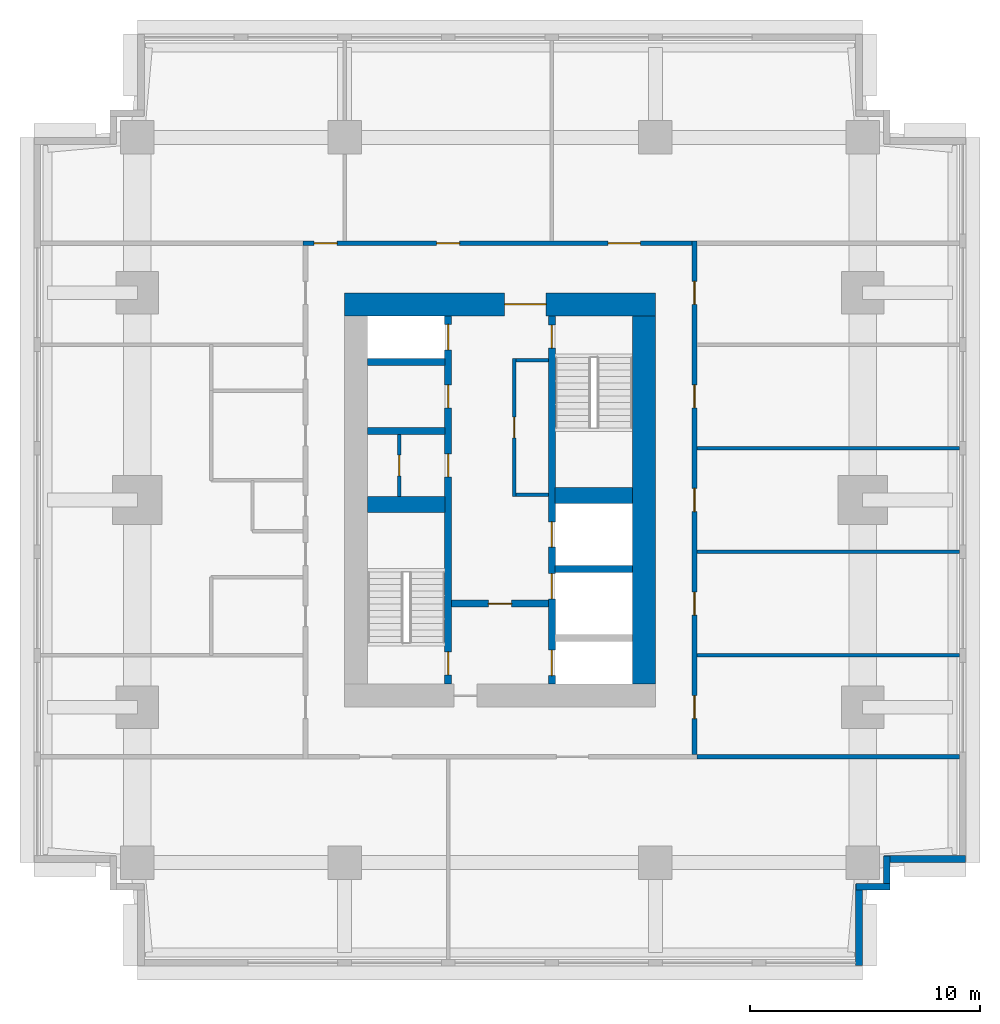
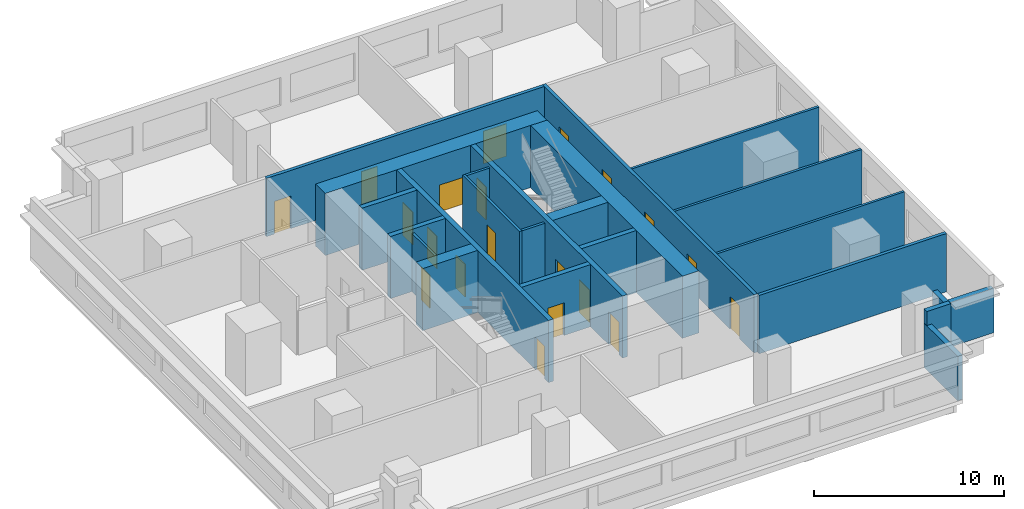
# One storey, part 3 of 5: 24 walls, 20 doors, 20 openings.
"""IFC4 building model written with IfcOpenShell, lengths in metres."""

from ifc_helpers import new_model, si_unit, direction, frame, frame_2d, origin, place, context, subcontext, project, spatial, rectangle, extrude, material, layer, layer_set, type_object, element, fill, save


model = new_model("IFC4")

# Units and contexts
model_context = context("Model", 3, precision=1e-05, world=origin(), true_north=direction((0.0, 1.0)))
body_context = subcontext(model_context, "Body", "Model", "MODEL_VIEW")
ifc_project = project(units=[si_unit("LENGTHUNIT", "METRE"), si_unit("AREAUNIT", "SQUARE_METRE"), si_unit("VOLUMEUNIT", "CUBIC_METRE"), si_unit("PLANEANGLEUNIT", "RADIAN"), si_unit("MASSUNIT", "GRAM", prefix="KILO")], contexts=[model_context])

# Site, building, storey
site_placement = place(None, origin())
site = spatial("IfcSite", under=ifc_project, at=site_placement, CompositionType="ELEMENT")
building_placement = place(site_placement, origin())
building = spatial("IfcBuilding", under=site, at=building_placement, Name="Namib Vertical Campus", CompositionType="ELEMENT")
storey_placement = place(building_placement, frame((0.0, 0.0, 253.0)))
storey = spatial("IfcBuildingStorey", under=building, at=storey_placement, Name="L59", CompositionType="ELEMENT", Elevation=253.0)

# Wall, openings, doors
ifc_material_1 = material(Name="Concrete C60/75", Category="concrete")
ifc_layer_1 = layer(ifc_material_1, 0.300048828125)
ifc_layer_set_1 = layer_set([ifc_layer_1], Name="Concrete C60/75")
wall_type_1 = type_object("IfcWallType", Name="Core inner wall 300", PredefinedType="SHEAR", material=ifc_layer_set_1)
wall_1_placement = place(storey_placement, frame((18.0, 12.25, 0.0), z_axis=(0.0, 0.0, 1.0), x_axis=(0.0, 1.0, 0.0)))
wall_1 = element("IfcWall", 1, at=wall_1_placement, inside=storey, type_object=wall_type_1, Name="Core inner wall A L59 W1", PredefinedType="SHEAR", context=body_context, shape_type="SweptSolid", body=[
    extrude(rectangle(XDim=16.0, YDim=0.300048828125, at=frame_2d((8.0, 0.0))), origin(), (0.0, 0.0, 1.0), 4.0),
])
opening_1_placement = place(wall_1_placement, frame((0.39990234375, 0.0, 0.0)))
opening_1 = element("IfcOpeningElement", 2, at=opening_1_placement, cuts=wall_1, Name="Opening FD1", PredefinedType="OPENING", context=body_context, shape_type="SweptSolid", body=[
    extrude(rectangle(XDim=1.0, YDim=2.10009765625, at=frame_2d((0.5, 1.050048828125))), frame((0.0, 0.159912109375, 0.0), z_axis=(0.0, -1.0, 0.0), x_axis=(1.0, 0.0, 0.0)), (0.0, 0.0, 1.0), 0.320068359375),
])
opening_2_placement = place(wall_1_placement, frame((14.52490234375, 0.0, 0.0)))
opening_2 = element("IfcOpeningElement", 3, at=opening_2_placement, cuts=wall_1, Name="Opening LD1", PredefinedType="OPENING", context=body_context, shape_type="SweptSolid", body=[
    extrude(rectangle(XDim=1.10009765625, YDim=2.10009765625, at=frame_2d((0.550048828125, 1.050048828125))), frame((0.0, 0.159912109375, 0.0), z_axis=(0.0, -1.0, 0.0), x_axis=(1.0, 0.0, 0.0)), (0.0, 0.0, 1.0), 0.320068359375),
])
opening_3_placement = place(wall_1_placement, frame((9.0, 0.0, 0.0)))
opening_3 = element("IfcOpeningElement", 4, at=opening_3_placement, cuts=wall_1, Name="Opening D1", PredefinedType="OPENING", context=body_context, shape_type="SweptSolid", body=[
    extrude(rectangle(XDim=1.0, YDim=2.10009765625, at=frame_2d((0.5, 1.050048828125))), frame((0.0, 0.159912109375, 0.0), z_axis=(0.0, -1.0, 0.0), x_axis=(1.0, 0.0, 0.0)), (0.0, 0.0, 1.0), 0.320068359375),
])
opening_4_placement = place(wall_1_placement, frame((12.0, 0.0, 0.0)))
opening_4 = element("IfcOpeningElement", 5, at=opening_4_placement, cuts=wall_1, Name="Opening D1", PredefinedType="OPENING", context=body_context, shape_type="SweptSolid", body=[
    extrude(rectangle(XDim=1.0, YDim=2.10009765625, at=frame_2d((0.5, 1.050048828125))), frame((0.0, 0.159912109375, 0.0), z_axis=(0.0, -1.0, 0.0), x_axis=(1.0, 0.0, 0.0)), (0.0, 0.0, 1.0), 0.320068359375),
])
ifc_material_2 = material(Name="Timber door leaf", Category="wood")
door_type_1 = type_object("IfcDoorType", Name="Door single 1000x2100", OperationType="SINGLE_SWING_LEFT", PredefinedType="DOOR", material=ifc_material_2)
door_1_placement = place(opening_3_placement, origin())
door_1 = element("IfcDoor", 6, at=door_1_placement, inside=storey, type_object=door_type_1, Name="Door D1 Store A L59 P1", OperationType="SINGLE_SWING_LEFT", OverallHeight=2.10009765625, OverallWidth=1.0, PredefinedType="DOOR", context=body_context, shape_type="SweptSolid", body=[
    extrude(rectangle(XDim=1.0, YDim=2.10009765625, at=frame_2d((0.5, 1.050048828125))), frame((0.0, 0.02490234375, 0.0), z_axis=(0.0, -1.0, 0.0), x_axis=(1.0, 0.0, 0.0)), (0.0, 0.0, 1.0), 0.050048828125),
])
fill(opening_3, door_1)
door_2_placement = place(opening_4_placement, origin())
door_2 = element("IfcDoor", 7, at=door_2_placement, inside=storey, type_object=door_type_1, Name="Door D1 Cleaners' store A L59 P2", OperationType="SINGLE_SWING_LEFT", OverallHeight=2.10009765625, OverallWidth=1.0, PredefinedType="DOOR", context=body_context, shape_type="SweptSolid", body=[
    extrude(rectangle(XDim=1.0, YDim=2.10009765625, at=frame_2d((0.5, 1.050048828125))), frame((0.0, 0.02490234375, 0.0), z_axis=(0.0, -1.0, 0.0), x_axis=(1.0, 0.0, 0.0)), (0.0, 0.0, 1.0), 0.050048828125),
])
fill(opening_4, door_2)
ifc_material_3 = material(Name="Steel fire door", Category="steel")
door_type_2 = type_object("IfcDoorType", Name="Fire door 1000x2100", OperationType="SINGLE_SWING_RIGHT", PredefinedType="DOOR", material=ifc_material_3)
door_3_placement = place(opening_1_placement, origin())
door_3 = element("IfcDoor", 8, at=door_3_placement, inside=storey, type_object=door_type_2, Name="Stair door FD1 A L59 S1", OperationType="SINGLE_SWING_LEFT", OverallHeight=2.10009765625, OverallWidth=1.0, PredefinedType="DOOR", context=body_context, shape_type="SweptSolid", body=[
    extrude(rectangle(XDim=1.0, YDim=2.10009765625, at=frame_2d((0.5, 1.050048828125))), frame((0.0, 0.02490234375, 0.0), z_axis=(0.0, -1.0, 0.0), x_axis=(1.0, 0.0, 0.0)), (0.0, 0.0, 1.0), 0.050048828125),
])
fill(opening_1, door_3)
ifc_material_4 = material(Name="Stainless steel lift door", Category="steel")
door_type_3 = type_object("IfcDoorType", Name="Lift landing door 1100x2100", OperationType="DOUBLE_DOOR_SLIDING", PredefinedType="DOOR", material=ifc_material_4)
door_4_placement = place(opening_2_placement, origin())
door_4 = element("IfcDoor", 9, at=door_4_placement, inside=storey, type_object=door_type_3, Name="Lift landing door LD1 A-P3 L59", OperationType="DOUBLE_DOOR_SLIDING", OverallHeight=2.10009765625, OverallWidth=1.10009765625, PredefinedType="DOOR", context=body_context, shape_type="SweptSolid", body=[
    extrude(rectangle(XDim=1.10009765625, YDim=2.10009765625, at=frame_2d((0.550048828125, 1.050048828125))), frame((0.0, 0.02490234375, 0.0), z_axis=(0.0, -1.0, 0.0), x_axis=(1.0, 0.0, 0.0)), (0.0, 0.0, 1.0), 0.050048828125),
])
fill(opening_2, door_4)

wall_2_placement = place(storey_placement, frame((22.5, 12.25, 0.0), z_axis=(0.0, 0.0, 1.0), x_axis=(0.0, 1.0, 0.0)))
wall_2 = element("IfcWall", 10, at=wall_2_placement, inside=storey, type_object=wall_type_1, Name="Core inner wall A L59 W2", PredefinedType="SHEAR", context=body_context, shape_type="SweptSolid", body=[
    extrude(rectangle(XDim=16.0, YDim=0.300048828125, at=frame_2d((8.0, 0.0))), origin(), (0.0, 0.0, 1.0), 4.0),
])
opening_5_placement = place(wall_2_placement, frame((14.60009765625, 0.0, 0.0)))
opening_5 = element("IfcOpeningElement", 11, at=opening_5_placement, cuts=wall_2, Name="Opening FD1", PredefinedType="OPENING", context=body_context, shape_type="SweptSolid", body=[
    extrude(rectangle(XDim=1.0, YDim=2.10009765625, at=frame_2d((0.5, 1.050048828125))), frame((0.0, 0.159912109375, 0.0), z_axis=(0.0, -1.0, 0.0), x_axis=(1.0, 0.0, 0.0)), (0.0, 0.0, 1.0), 0.320068359375),
])
opening_6_placement = place(wall_2_placement, frame((0.375, 0.0, 0.0)))
opening_6 = element("IfcOpeningElement", 12, at=opening_6_placement, cuts=wall_2, Name="Opening LD1", PredefinedType="OPENING", context=body_context, shape_type="SweptSolid", body=[
    extrude(rectangle(XDim=1.10009765625, YDim=2.10009765625, at=frame_2d((0.550048828125, 1.050048828125))), frame((0.0, 0.159912109375, 0.0), z_axis=(0.0, -1.0, 0.0), x_axis=(1.0, 0.0, 0.0)), (0.0, 0.0, 1.0), 0.320068359375),
])
opening_7_placement = place(wall_2_placement, frame((3.699951171875, 0.0, 0.0)))
opening_7 = element("IfcOpeningElement", 13, at=opening_7_placement, cuts=wall_2, Name="Opening LD1", PredefinedType="OPENING", context=body_context, shape_type="SweptSolid", body=[
    extrude(rectangle(XDim=1.10009765625, YDim=2.10009765625, at=frame_2d((0.550048828125, 1.050048828125))), frame((0.0, 0.159912109375, 0.0), z_axis=(0.0, -1.0, 0.0), x_axis=(1.0, 0.0, 0.0)), (0.0, 0.0, 1.0), 0.320068359375),
])
opening_8_placement = place(wall_2_placement, frame((5.949951171875, 0.0, 0.0)))
opening_8 = element("IfcOpeningElement", 14, at=opening_8_placement, cuts=wall_2, Name="Opening LD1", PredefinedType="OPENING", context=body_context, shape_type="SweptSolid", body=[
    extrude(rectangle(XDim=1.10009765625, YDim=2.10009765625, at=frame_2d((0.550048828125, 1.050048828125))), frame((0.0, 0.159912109375, 0.0), z_axis=(0.0, -1.0, 0.0), x_axis=(1.0, 0.0, 0.0)), (0.0, 0.0, 1.0), 0.320068359375),
])
door_5_placement = place(opening_5_placement, frame((1.0, 0.0, 0.0), z_axis=(0.0, 0.0, 1.0), x_axis=(-1.0, 0.0, 0.0)))
door_5 = element("IfcDoor", 15, at=door_5_placement, inside=storey, type_object=door_type_2, Name="Stair door FD1 A L59 S2", OperationType="SINGLE_SWING_LEFT", OverallHeight=2.10009765625, OverallWidth=1.0, PredefinedType="DOOR", context=body_context, shape_type="SweptSolid", body=[
    extrude(rectangle(XDim=1.0, YDim=2.10009765625, at=frame_2d((0.5, 1.050048828125))), frame((0.0, 0.02490234375, 0.0), z_axis=(0.0, -1.0, 0.0), x_axis=(1.0, 0.0, 0.0)), (0.0, 0.0, 1.0), 0.050048828125),
])
fill(opening_5, door_5)
door_6_placement = place(opening_6_placement, origin())
door_6 = element("IfcDoor", 16, at=door_6_placement, inside=storey, type_object=door_type_3, Name="Lift landing door LD1 A-FL1 L59", OperationType="DOUBLE_DOOR_SLIDING", OverallHeight=2.10009765625, OverallWidth=1.10009765625, PredefinedType="DOOR", context=body_context, shape_type="SweptSolid", body=[
    extrude(rectangle(XDim=1.10009765625, YDim=2.10009765625, at=frame_2d((0.550048828125, 1.050048828125))), frame((0.0, 0.02490234375, 0.0), z_axis=(0.0, -1.0, 0.0), x_axis=(1.0, 0.0, 0.0)), (0.0, 0.0, 1.0), 0.050048828125),
])
fill(opening_6, door_6)
door_7_placement = place(opening_7_placement, origin())
door_7 = element("IfcDoor", 17, at=door_7_placement, inside=storey, type_object=door_type_3, Name="Lift landing door LD1 A-P4 L59", OperationType="DOUBLE_DOOR_SLIDING", OverallHeight=2.10009765625, OverallWidth=1.10009765625, PredefinedType="DOOR", context=body_context, shape_type="SweptSolid", body=[
    extrude(rectangle(XDim=1.10009765625, YDim=2.10009765625, at=frame_2d((0.550048828125, 1.050048828125))), frame((0.0, 0.02490234375, 0.0), z_axis=(0.0, -1.0, 0.0), x_axis=(1.0, 0.0, 0.0)), (0.0, 0.0, 1.0), 0.050048828125),
])
fill(opening_7, door_7)
door_8_placement = place(opening_8_placement, origin())
door_8 = element("IfcDoor", 18, at=door_8_placement, inside=storey, type_object=door_type_3, Name="Lift landing door LD1 A-P5 L59", OperationType="DOUBLE_DOOR_SLIDING", OverallHeight=2.10009765625, OverallWidth=1.10009765625, PredefinedType="DOOR", context=body_context, shape_type="SweptSolid", body=[
    extrude(rectangle(XDim=1.10009765625, YDim=2.10009765625, at=frame_2d((0.550048828125, 1.050048828125))), frame((0.0, 0.02490234375, 0.0), z_axis=(0.0, -1.0, 0.0), x_axis=(1.0, 0.0, 0.0)), (0.0, 0.0, 1.0), 0.050048828125),
])
fill(opening_8, door_8)

# Wall, opening, door
wall_3_placement = place(storey_placement, frame((18.14990234375, 15.75, 0.0), z_axis=(0.0, 0.0, 1.0), x_axis=(1.0, 0.0, 0.0)))
wall_3 = element("IfcWall", 19, at=wall_3_placement, inside=storey, type_object=wall_type_1, Name="Core inner wall A L59 W4", PredefinedType="SHEAR", context=body_context, shape_type="SweptSolid", body=[
    extrude(rectangle(XDim=4.2001953125, YDim=0.300048828125, at=frame_2d((2.10009765625, 0.0))), origin(), (0.0, 0.0, 1.0), 4.0),
])
opening_9_placement = place(wall_3_placement, frame((1.60009765625, 0.0, 0.0)))
opening_9 = element("IfcOpeningElement", 20, at=opening_9_placement, cuts=wall_3, Name="Opening FD5", PredefinedType="OPENING", context=body_context, shape_type="SweptSolid", body=[
    extrude(rectangle(XDim=1.0, YDim=2.10009765625, at=frame_2d((0.5, 1.050048828125))), frame((0.0, 0.159912109375, 0.0), z_axis=(0.0, -1.0, 0.0), x_axis=(1.0, 0.0, 0.0)), (0.0, 0.0, 1.0), 0.320068359375),
])
ifc_material_5 = material(Name="Steel fire door", Category="steel")
door_type_4 = type_object("IfcDoorType", Name="Fire door 1000x2100 120 min", OperationType="SINGLE_SWING_RIGHT", PredefinedType="DOOR", material=ifc_material_5)
door_9_placement = place(opening_9_placement, frame((1.0, 0.0, 0.0), z_axis=(0.0, 0.0, 1.0), x_axis=(-1.0, 0.0, 0.0)))
door_9 = element("IfcDoor", 21, at=door_9_placement, inside=storey, type_object=door_type_4, Name="Lobby door FD5 A L59", OperationType="SINGLE_SWING_RIGHT", OverallHeight=2.10009765625, OverallWidth=1.0, PredefinedType="DOOR", context=body_context, shape_type="SweptSolid", body=[
    extrude(rectangle(XDim=1.0, YDim=2.10009765625, at=frame_2d((0.5, 1.050048828125))), frame((0.0, 0.02490234375, 0.0), z_axis=(0.0, -1.0, 0.0), x_axis=(1.0, 0.0, 0.0)), (0.0, 0.0, 1.0), 0.050048828125),
])
fill(opening_9, door_9)

# Walls
for number, where, z_axis, x_axis, name in (
    (22, (22.64990234375, 17.25, 0.0), (0.0, 0.0, 1.0), (1.0, 0.0, 0.0), "Core inner wall A L59 W6"),
    (23, (14.5, 23.25, 0.0), (0.0, 0.0, 1.0), (1.0, 0.0, 0.0), "Core inner wall A L59 W8"),
    (24, (14.5, 26.25, 0.0), (0.0, 0.0, 1.0), (1.0, 0.0, 0.0), "Core inner wall A L59 W9"),
):
    element("IfcWall", number, at=place(storey_placement, frame(where, z_axis=z_axis, x_axis=x_axis)), inside=storey, type_object=wall_type_1, Name=name, PredefinedType="SHEAR", context=body_context, shape_type="SweptSolid", body=[
        extrude(rectangle(XDim=3.35009765625, YDim=0.300048828125, at=frame_2d((1.675048828125, 0.0))), origin(), (0.0, 0.0, 1.0), 4.0),
    ])
ifc_material_6 = material(Name="Concrete C60/75", Category="concrete")
ifc_layer_2 = layer(ifc_material_6, 0.699951171875)
ifc_layer_set_2 = layer_set([ifc_layer_2], Name="Concrete C60/75")
wall_type_2 = type_object("IfcWallType", Name="Core shear wall 700", PredefinedType="SHEAR", material=ifc_layer_set_2)
for number, where, z_axis, x_axis, name in (
    (25, (14.5, 20.050048828125, 0.0), (0.0, 0.0, 1.0), (1.0, 0.0, 0.0), "Core shear wall A L59 W3"),
    (26, (22.64990234375, 20.449951171875, 0.0), (0.0, 0.0, 1.0), (1.0, 0.0, 0.0), "Core shear wall A L59 W7"),
):
    element("IfcWall", number, at=place(storey_placement, frame(where, z_axis=z_axis, x_axis=x_axis)), inside=storey, type_object=wall_type_2, Name=name, PredefinedType="SHEAR", context=body_context, shape_type="SweptSolid", body=[
        extrude(rectangle(XDim=3.35009765625, YDim=0.699951171875, at=frame_2d((1.675048828125, 0.0))), origin(), (0.0, 0.0, 1.0), 4.0),
    ])
ifc_material_7 = material(Name="Concrete C60/75", Category="concrete")
ifc_layer_3 = layer(ifc_material_7, 1.0)
ifc_layer_set_3 = layer_set([ifc_layer_3], Name="Concrete C60/75")
wall_type_3 = type_object("IfcWallType", Name="Core wall 1000", PredefinedType="SHEAR", material=ifc_layer_set_3)
wall_4_placement = place(storey_placement, frame((26.5, 12.25, 0.0), z_axis=(0.0, 0.0, 1.0), x_axis=(0.0, 1.0, 0.0)))
element("IfcWall", 27, at=wall_4_placement, inside=storey, type_object=wall_type_3, Name="Core wall A L59 2", PredefinedType="SHEAR", context=body_context, shape_type="SweptSolid", body=[
    extrude(rectangle(XDim=16.0, YDim=1.0, at=frame_2d((8.0, 0.0))), origin(), (0.0, 0.0, 1.0), 4.0),
])

# Wall, opening, door
wall_5_placement = place(storey_placement, frame((27.0, 28.75, 0.0), z_axis=(0.0, 0.0, 1.0), x_axis=(-1.0, 0.0, 0.0)))
wall_5 = element("IfcWall", 28, at=wall_5_placement, inside=storey, type_object=wall_type_3, Name="Core wall A L59 3", PredefinedType="SHEAR", context=body_context, shape_type="SweptSolid", body=[
    extrude(rectangle(XDim=13.5, YDim=1.0, at=frame_2d((6.75, 0.0))), origin(), (0.0, 0.0, 1.0), 4.0),
])
opening_10_placement = place(wall_5_placement, frame((4.75, 0.0, 0.0)))
opening_10 = element("IfcOpeningElement", 29, at=opening_10_placement, cuts=wall_5, Name="Opening FD2", PredefinedType="OPENING", context=body_context, shape_type="SweptSolid", body=[
    extrude(rectangle(XDim=1.800048828125, YDim=2.10009765625, at=frame_2d((0.89990234375, 1.050048828125))), frame((0.0, 0.510009765625, 0.0), z_axis=(0.0, -1.0, 0.0), x_axis=(1.0, 0.0, 0.0)), (0.0, 0.0, 1.0), 1.02001953125),
])
ifc_material_8 = material(Name="Steel fire door", Category="steel")
door_type_5 = type_object("IfcDoorType", Name="Fire door double 1800x2100", OperationType="DOUBLE_DOOR_SINGLE_SWING", PredefinedType="DOOR", material=ifc_material_8)
door_10_placement = place(opening_10_placement, origin())
door_10 = element("IfcDoor", 30, at=door_10_placement, inside=storey, type_object=door_type_5, Name="Lift lobby door FD2 A L59", OperationType="DOUBLE_DOOR_SINGLE_SWING", OverallHeight=2.10009765625, OverallWidth=1.800048828125, PredefinedType="DOOR", context=body_context, shape_type="SweptSolid", body=[
    extrude(rectangle(XDim=1.800048828125, YDim=2.10009765625, at=frame_2d((0.89990234375, 1.050048828125))), frame((0.0, 0.02490234375, 0.0), z_axis=(0.0, -1.0, 0.0), x_axis=(1.0, 0.0, 0.0)), (0.0, 0.0, 1.0), 0.050048828125),
])
fill(opening_10, door_10)

# Wall, openings, doors
ifc_material_9 = material(Name="Concrete masonry", Category="masonry")
ifc_layer_4 = layer(ifc_material_9, 0.199951171875)
ifc_layer_set_4 = layer_set([ifc_layer_4], Name="Corridor wall 200")
wall_type_4 = type_object("IfcWallType", Name="Corridor wall 200", PredefinedType="SOLIDWALL", material=ifc_layer_set_4)
wall_6_placement = place(storey_placement, frame((28.699951171875, 9.199951171875, 0.0), z_axis=(0.0, 0.0, 1.0), x_axis=(0.0, 1.0, 0.0)))
wall_6 = element("IfcWall", 31, at=wall_6_placement, inside=storey, type_object=wall_type_4, Name="Corridor wall A L59 CE", PredefinedType="SOLIDWALL", context=body_context, shape_type="SweptSolid", body=[
    extrude(rectangle(XDim=22.300048828125, YDim=0.199951171875, at=frame_2d((11.14990234375, 0.0))), origin(), (0.0, 0.0, 1.0), 3.75),
])
opening_11_placement = place(wall_6_placement, frame((1.550048828125, 0.0, 0.0)))
opening_11 = element("IfcOpeningElement", 32, at=opening_11_placement, cuts=wall_6, Name="Opening CD1", PredefinedType="OPENING", context=body_context, shape_type="SweptSolid", body=[
    extrude(rectangle(XDim=1.0, YDim=2.10009765625, at=frame_2d((0.5, 1.050048828125))), frame((0.0, 0.10986328125, 0.0), z_axis=(0.0, -1.0, 0.0), x_axis=(1.0, 0.0, 0.0)), (0.0, 0.0, 1.0), 0.219970703125),
])
opening_12_placement = place(wall_6_placement, frame((6.050048828125, 0.0, 0.0)))
opening_12 = element("IfcOpeningElement", 33, at=opening_12_placement, cuts=wall_6, Name="Opening CD1", PredefinedType="OPENING", context=body_context, shape_type="SweptSolid", body=[
    extrude(rectangle(XDim=1.0, YDim=2.10009765625, at=frame_2d((0.5, 1.050048828125))), frame((0.0, 0.10986328125, 0.0), z_axis=(0.0, -1.0, 0.0), x_axis=(1.0, 0.0, 0.0)), (0.0, 0.0, 1.0), 0.219970703125),
])
opening_13_placement = place(wall_6_placement, frame((10.550048828125, 0.0, 0.0)))
opening_13 = element("IfcOpeningElement", 34, at=opening_13_placement, cuts=wall_6, Name="Opening CD1", PredefinedType="OPENING", context=body_context, shape_type="SweptSolid", body=[
    extrude(rectangle(XDim=1.0, YDim=2.10009765625, at=frame_2d((0.5, 1.050048828125))), frame((0.0, 0.10986328125, 0.0), z_axis=(0.0, -1.0, 0.0), x_axis=(1.0, 0.0, 0.0)), (0.0, 0.0, 1.0), 0.219970703125),
])
opening_14_placement = place(wall_6_placement, frame((15.050048828125, 0.0, 0.0)))
opening_14 = element("IfcOpeningElement", 35, at=opening_14_placement, cuts=wall_6, Name="Opening CD1", PredefinedType="OPENING", context=body_context, shape_type="SweptSolid", body=[
    extrude(rectangle(XDim=1.0, YDim=2.10009765625, at=frame_2d((0.5, 1.050048828125))), frame((0.0, 0.10986328125, 0.0), z_axis=(0.0, -1.0, 0.0), x_axis=(1.0, 0.0, 0.0)), (0.0, 0.0, 1.0), 0.219970703125),
])
opening_15_placement = place(wall_6_placement, frame((19.550048828125, 0.0, 0.0)))
opening_15 = element("IfcOpeningElement", 36, at=opening_15_placement, cuts=wall_6, Name="Opening CD1", PredefinedType="OPENING", context=body_context, shape_type="SweptSolid", body=[
    extrude(rectangle(XDim=1.0, YDim=2.10009765625, at=frame_2d((0.5, 1.050048828125))), frame((0.0, 0.10986328125, 0.0), z_axis=(0.0, -1.0, 0.0), x_axis=(1.0, 0.0, 0.0)), (0.0, 0.0, 1.0), 0.219970703125),
])
ifc_material_10 = material(Name="Timber fire door leaf", Category="wood")
door_type_6 = type_object("IfcDoorType", Name="Corridor door 1000x2100 20 min", OperationType="SINGLE_SWING_LEFT", PredefinedType="DOOR", material=ifc_material_10)
door_11_placement = place(opening_11_placement, frame((1.0, 0.0, 0.0), z_axis=(0.0, 0.0, 1.0), x_axis=(-1.0, 0.0, 0.0)))
door_11 = element("IfcDoor", 37, at=door_11_placement, inside=storey, type_object=door_type_6, Name="Door CD1 A59-03", OperationType="SINGLE_SWING_RIGHT", OverallHeight=2.10009765625, OverallWidth=1.0, PredefinedType="DOOR", context=body_context, shape_type="SweptSolid", body=[
    extrude(rectangle(XDim=1.0, YDim=2.10009765625, at=frame_2d((0.5, 1.050048828125))), frame((0.0, 0.02490234375, 0.0), z_axis=(0.0, -1.0, 0.0), x_axis=(1.0, 0.0, 0.0)), (0.0, 0.0, 1.0), 0.050048828125),
])
fill(opening_11, door_11)
door_12_placement = place(opening_12_placement, frame((1.0, 0.0, 0.0), z_axis=(0.0, 0.0, 1.0), x_axis=(-1.0, 0.0, 0.0)))
door_12 = element("IfcDoor", 38, at=door_12_placement, inside=storey, type_object=door_type_6, Name="Door CD1 A59-04", OperationType="SINGLE_SWING_RIGHT", OverallHeight=2.10009765625, OverallWidth=1.0, PredefinedType="DOOR", context=body_context, shape_type="SweptSolid", body=[
    extrude(rectangle(XDim=1.0, YDim=2.10009765625, at=frame_2d((0.5, 1.050048828125))), frame((0.0, 0.02490234375, 0.0), z_axis=(0.0, -1.0, 0.0), x_axis=(1.0, 0.0, 0.0)), (0.0, 0.0, 1.0), 0.050048828125),
])
fill(opening_12, door_12)
door_13_placement = place(opening_13_placement, frame((1.0, 0.0, 0.0), z_axis=(0.0, 0.0, 1.0), x_axis=(-1.0, 0.0, 0.0)))
door_13 = element("IfcDoor", 39, at=door_13_placement, inside=storey, type_object=door_type_6, Name="Door CD1 A59-05", OperationType="SINGLE_SWING_RIGHT", OverallHeight=2.10009765625, OverallWidth=1.0, PredefinedType="DOOR", context=body_context, shape_type="SweptSolid", body=[
    extrude(rectangle(XDim=1.0, YDim=2.10009765625, at=frame_2d((0.5, 1.050048828125))), frame((0.0, 0.02490234375, 0.0), z_axis=(0.0, -1.0, 0.0), x_axis=(1.0, 0.0, 0.0)), (0.0, 0.0, 1.0), 0.050048828125),
])
fill(opening_13, door_13)
door_14_placement = place(opening_14_placement, frame((1.0, 0.0, 0.0), z_axis=(0.0, 0.0, 1.0), x_axis=(-1.0, 0.0, 0.0)))
door_14 = element("IfcDoor", 40, at=door_14_placement, inside=storey, type_object=door_type_6, Name="Door CD1 A59-06", OperationType="SINGLE_SWING_RIGHT", OverallHeight=2.10009765625, OverallWidth=1.0, PredefinedType="DOOR", context=body_context, shape_type="SweptSolid", body=[
    extrude(rectangle(XDim=1.0, YDim=2.10009765625, at=frame_2d((0.5, 1.050048828125))), frame((0.0, 0.02490234375, 0.0), z_axis=(0.0, -1.0, 0.0), x_axis=(1.0, 0.0, 0.0)), (0.0, 0.0, 1.0), 0.050048828125),
])
fill(opening_14, door_14)
door_15_placement = place(opening_15_placement, frame((1.0, 0.0, 0.0), z_axis=(0.0, 0.0, 1.0), x_axis=(-1.0, 0.0, 0.0)))
door_15 = element("IfcDoor", 41, at=door_15_placement, inside=storey, type_object=door_type_6, Name="Door CD1 A59-07", OperationType="SINGLE_SWING_RIGHT", OverallHeight=2.10009765625, OverallWidth=1.0, PredefinedType="DOOR", context=body_context, shape_type="SweptSolid", body=[
    extrude(rectangle(XDim=1.0, YDim=2.10009765625, at=frame_2d((0.5, 1.050048828125))), frame((0.0, 0.02490234375, 0.0), z_axis=(0.0, -1.0, 0.0), x_axis=(1.0, 0.0, 0.0)), (0.0, 0.0, 1.0), 0.050048828125),
])
fill(opening_15, door_15)

wall_7_placement = place(storey_placement, frame((28.60009765625, 31.39990234375, 0.0), z_axis=(0.0, 0.0, 1.0), x_axis=(-1.0, 0.0, 0.0)))
wall_7 = element("IfcWall", 42, at=wall_7_placement, inside=storey, type_object=wall_type_4, Name="Corridor wall A L59 CN", PredefinedType="SOLIDWALL", context=body_context, shape_type="SweptSolid", body=[
    extrude(rectangle(XDim=16.900146484375, YDim=0.199951171875, at=frame_2d((8.4501953125, 0.0))), origin(), (0.0, 0.0, 1.0), 3.75),
])
opening_16_placement = place(wall_7_placement, frame((15.425048828125, 0.0, 0.0)))
opening_16 = element("IfcOpeningElement", 43, at=opening_16_placement, cuts=wall_7, Name="Opening CD1", PredefinedType="OPENING", context=body_context, shape_type="SweptSolid", body=[
    extrude(rectangle(XDim=1.0, YDim=2.10009765625, at=frame_2d((0.5, 1.050048828125))), frame((0.0, 0.10986328125, 0.0), z_axis=(0.0, -1.0, 0.0), x_axis=(1.0, 0.0, 0.0)), (0.0, 0.0, 1.0), 0.219970703125),
])
opening_17_placement = place(wall_7_placement, frame((10.10009765625, 0.0, 0.0)))
opening_17 = element("IfcOpeningElement", 44, at=opening_17_placement, cuts=wall_7, Name="Opening CD1", PredefinedType="OPENING", context=body_context, shape_type="SweptSolid", body=[
    extrude(rectangle(XDim=1.0, YDim=2.10009765625, at=frame_2d((0.5, 1.050048828125))), frame((0.0, 0.10986328125, 0.0), z_axis=(0.0, -1.0, 0.0), x_axis=(1.0, 0.0, 0.0)), (0.0, 0.0, 1.0), 0.219970703125),
])
opening_18_placement = place(wall_7_placement, frame((2.25, 0.0, 0.0)))
opening_18 = element("IfcOpeningElement", 45, at=opening_18_placement, cuts=wall_7, Name="Opening LB1", PredefinedType="OPENING", context=body_context, shape_type="SweptSolid", body=[
    extrude(rectangle(XDim=1.39990234375, YDim=2.10009765625, at=frame_2d((0.699951171875, 1.050048828125))), frame((0.0, 0.10986328125, 0.0), z_axis=(0.0, -1.0, 0.0), x_axis=(1.0, 0.0, 0.0)), (0.0, 0.0, 1.0), 0.219970703125),
])
door_16_placement = place(opening_16_placement, frame((1.0, 0.0, 0.0), z_axis=(0.0, 0.0, 1.0), x_axis=(-1.0, 0.0, 0.0)))
door_16 = element("IfcDoor", 46, at=door_16_placement, inside=storey, type_object=door_type_6, Name="Door CD1 A59-08", OperationType="SINGLE_SWING_RIGHT", OverallHeight=2.10009765625, OverallWidth=1.0, PredefinedType="DOOR", context=body_context, shape_type="SweptSolid", body=[
    extrude(rectangle(XDim=1.0, YDim=2.10009765625, at=frame_2d((0.5, 1.050048828125))), frame((0.0, 0.02490234375, 0.0), z_axis=(0.0, -1.0, 0.0), x_axis=(1.0, 0.0, 0.0)), (0.0, 0.0, 1.0), 0.050048828125),
])
fill(opening_16, door_16)
door_17_placement = place(opening_17_placement, frame((1.0, 0.0, 0.0), z_axis=(0.0, 0.0, 1.0), x_axis=(-1.0, 0.0, 0.0)))
door_17 = element("IfcDoor", 47, at=door_17_placement, inside=storey, type_object=door_type_6, Name="Door CD1 A59-09", OperationType="SINGLE_SWING_RIGHT", OverallHeight=2.10009765625, OverallWidth=1.0, PredefinedType="DOOR", context=body_context, shape_type="SweptSolid", body=[
    extrude(rectangle(XDim=1.0, YDim=2.10009765625, at=frame_2d((0.5, 1.050048828125))), frame((0.0, 0.02490234375, 0.0), z_axis=(0.0, -1.0, 0.0), x_axis=(1.0, 0.0, 0.0)), (0.0, 0.0, 1.0), 0.050048828125),
])
fill(opening_17, door_17)
ifc_material_11 = material(Name="Timber fire door leaf", Category="wood")
door_type_7 = type_object("IfcDoorType", Name="Laboratory door 1400x2100 leaf and a half", OperationType="DOUBLE_DOOR_SINGLE_SWING", PredefinedType="DOOR", material=ifc_material_11)
door_18_placement = place(opening_18_placement, frame((1.39990234375, 0.0, 0.0), z_axis=(0.0, 0.0, 1.0), x_axis=(-1.0, 0.0, 0.0)))
door_18 = element("IfcDoor", 48, at=door_18_placement, inside=storey, type_object=door_type_7, Name="Door LB1 A59-10", OperationType="DOUBLE_DOOR_SINGLE_SWING", OverallHeight=2.10009765625, OverallWidth=1.39990234375, PredefinedType="DOOR", context=body_context, shape_type="SweptSolid", body=[
    extrude(rectangle(XDim=1.39990234375, YDim=2.10009765625, at=frame_2d((0.699951171875, 1.050048828125))), frame((0.0, 0.02490234375, 0.0), z_axis=(0.0, -1.0, 0.0), x_axis=(1.0, 0.0, 0.0)), (0.0, 0.0, 1.0), 0.050048828125),
])
fill(opening_18, door_18)

# Walls
wall_8_placement = place(storey_placement, frame((28.800048828125, 9.10009765625, 0.0), z_axis=(0.0, 0.0, 1.0), x_axis=(1.0, 0.0, 0.0)))
element("IfcWall", 49, at=wall_8_placement, inside=storey, type_object=wall_type_4, Name="Partition A L59 BSE", PredefinedType="SOLIDWALL", context=body_context, shape_type="SweptSolid", body=[
    extrude(rectangle(XDim=11.39990234375, YDim=0.199951171875, at=frame_2d((5.699951171875, 0.0))), origin(), (0.0, 0.0, 1.0), 3.75),
])
ifc_material_12 = material(Name="Concrete C40/50", Category="concrete")
ifc_layer_5 = layer(ifc_material_12, 0.300048828125)
ifc_layer_set_5 = layer_set([ifc_layer_5], Name="Concrete C40/50")
wall_type_5 = type_object("IfcWallType", Name="External wall 300 board-marked concrete", PredefinedType="STANDARD", material=ifc_layer_set_5)
wall_9_placement = place(storey_placement, frame((35.85009765625, 0.02001953125, 0.0), z_axis=(0.0, 0.0, 1.0), x_axis=(0.0, 1.0, 0.0)))
element("IfcWall", 50, at=wall_9_placement, inside=storey, type_object=wall_type_5, Name="External wall L59 F02", PredefinedType="STANDARD", context=body_context, shape_type="SweptSolid", body=[
    extrude(rectangle(XDim=3.56005859375, YDim=0.300048828125, at=frame_2d((1.780029296875, 0.0))), origin(), (0.0, 0.0, 1.0), 2.85009765625),
])
for number, where, z_axis, x_axis, name in (
    (51, (35.719970703125, 3.449951171875, 0.0), (0.0, 0.0, 1.0), (1.0, 0.0, 0.0), "External wall L59 F03"),
    (52, (37.050048828125, 3.320068359375, 0.0), (0.0, 0.0, 1.0), (0.0, 1.0, 0.0), "External wall L59 F04"),
):
    element("IfcWall", number, at=place(storey_placement, frame(where, z_axis=z_axis, x_axis=x_axis)), inside=storey, type_object=wall_type_5, Name=name, PredefinedType="STANDARD", context=body_context, shape_type="SweptSolid", body=[
        extrude(rectangle(XDim=1.4599609375, YDim=0.300048828125, at=frame_2d((0.72998046875, 0.0))), origin(), (0.0, 0.0, 1.0), 3.75),
    ])
wall_10_placement = place(storey_placement, frame((36.919921875, 4.64990234375, 0.0), z_axis=(0.0, 0.0, 1.0), x_axis=(1.0, 0.0, 0.0)))
element("IfcWall", 53, at=wall_10_placement, inside=storey, type_object=wall_type_5, Name="External wall L59 F05", PredefinedType="STANDARD", context=body_context, shape_type="SweptSolid", body=[
    extrude(rectangle(XDim=3.56005859375, YDim=0.300048828125, at=frame_2d((1.780029296875, 0.0))), origin(), (0.0, 0.0, 1.0), 2.85009765625),
])

# Wall, opening, door
ifc_material_13 = material(Name="Gypsum board on steel studs", Category="steel")
ifc_layer_6 = layer(ifc_material_13, 0.14990234375)
ifc_layer_set_6 = layer_set([ifc_layer_6], Name="Gypsum board on steel studs")
wall_type_6 = type_object("IfcWallType", Name="Partition 150", PredefinedType="PARTITIONING", material=ifc_layer_set_6)
wall_11_placement = place(storey_placement, frame((20.875, 20.39990234375, 0.0), z_axis=(0.0, 0.0, 1.0), x_axis=(0.0, 1.0, 0.0)))
wall_11 = element("IfcWall", 54, at=wall_11_placement, inside=storey, type_object=wall_type_6, Name="Partition A L59 Store front", PredefinedType="PARTITIONING", context=body_context, shape_type="SweptSolid", body=[
    extrude(rectangle(XDim=6.0, YDim=0.14990234375, at=frame_2d((3.0, 0.0))), origin(), (0.0, 0.0, 1.0), 3.75),
])
opening_19_placement = place(wall_11_placement, frame((2.550048828125, 0.0, 0.0)))
opening_19 = element("IfcOpeningElement", 55, at=opening_19_placement, cuts=wall_11, Name="Opening D3", PredefinedType="OPENING", context=body_context, shape_type="SweptSolid", body=[
    extrude(rectangle(XDim=0.89990234375, YDim=2.10009765625, at=frame_2d((0.449951171875, 1.050048828125))), frame((0.0, 0.0849609375, 0.0), z_axis=(0.0, -1.0, 0.0), x_axis=(1.0, 0.0, 0.0)), (0.0, 0.0, 1.0), 0.169921875),
])
ifc_material_14 = material(Name="Timber door leaf", Category="wood")
door_type_8 = type_object("IfcDoorType", Name="Toilet door 900x2100", OperationType="SINGLE_SWING_LEFT", PredefinedType="DOOR", material=ifc_material_14)
door_19_placement = place(opening_19_placement, frame((0.89990234375, 0.0, 0.0), z_axis=(0.0, 0.0, 1.0), x_axis=(-1.0, 0.0, 0.0)))
door_19 = element("IfcDoor", 56, at=door_19_placement, inside=storey, type_object=door_type_8, Name="Door D3 Store A L59", OperationType="SINGLE_SWING_RIGHT", OverallHeight=2.10009765625, OverallWidth=0.89990234375, PredefinedType="DOOR", context=body_context, shape_type="SweptSolid", body=[
    extrude(rectangle(XDim=0.89990234375, YDim=2.10009765625, at=frame_2d((0.449951171875, 1.050048828125))), frame((0.0, 0.02490234375, 0.0), z_axis=(0.0, -1.0, 0.0), x_axis=(1.0, 0.0, 0.0)), (0.0, 0.0, 1.0), 0.050048828125),
])
fill(opening_19, door_19)

# Walls
for number, where, z_axis, x_axis, name in (
    (57, (20.949951171875, 20.47509765625, 0.0), (0.0, 0.0, 1.0), (1.0, 0.0, 0.0), "Partition A L59 Store end 1"),
    (58, (20.949951171875, 26.324951171875, 0.0), (0.0, 0.0, 1.0), (1.0, 0.0, 0.0), "Partition A L59 Store end 2"),
):
    element("IfcWall", number, at=place(storey_placement, frame(where, z_axis=z_axis, x_axis=x_axis)), inside=storey, type_object=wall_type_6, Name=name, PredefinedType="PARTITIONING", context=body_context, shape_type="SweptSolid", body=[
        extrude(rectangle(XDim=1.400146484375, YDim=0.14990234375, at=frame_2d((0.7001953125, 0.0))), origin(), (0.0, 0.0, 1.0), 3.75),
    ])

# Wall, opening, door
wall_12_placement = place(storey_placement, frame((15.875, 20.39990234375, 0.0), z_axis=(0.0, 0.0, 1.0), x_axis=(0.0, 1.0, 0.0)))
wall_12 = element("IfcWall", 59, at=wall_12_placement, inside=storey, type_object=wall_type_6, Name="Partition A L59 Store P1 back", PredefinedType="PARTITIONING", context=body_context, shape_type="SweptSolid", body=[
    extrude(rectangle(XDim=2.7001953125, YDim=0.14990234375, at=frame_2d((1.35009765625, 0.0))), origin(), (0.0, 0.0, 1.0), 3.75),
])
opening_20_placement = place(wall_12_placement, frame((0.89990234375, 0.0, 0.0)))
opening_20 = element("IfcOpeningElement", 60, at=opening_20_placement, cuts=wall_12, Name="Opening D3", PredefinedType="OPENING", context=body_context, shape_type="SweptSolid", body=[
    extrude(rectangle(XDim=0.89990234375, YDim=2.10009765625, at=frame_2d((0.449951171875, 1.050048828125))), frame((0.0, 0.0849609375, 0.0), z_axis=(0.0, -1.0, 0.0), x_axis=(1.0, 0.0, 0.0)), (0.0, 0.0, 1.0), 0.169921875),
])
door_20_placement = place(opening_20_placement, origin())
door_20 = element("IfcDoor", 61, at=door_20_placement, inside=storey, type_object=door_type_8, Name="Door D3 Store A L59 P1", OperationType="SINGLE_SWING_LEFT", OverallHeight=2.10009765625, OverallWidth=0.89990234375, PredefinedType="DOOR", context=body_context, shape_type="SweptSolid", body=[
    extrude(rectangle(XDim=0.89990234375, YDim=2.10009765625, at=frame_2d((0.449951171875, 1.050048828125))), frame((0.0, 0.02490234375, 0.0), z_axis=(0.0, -1.0, 0.0), x_axis=(1.0, 0.0, 0.0)), (0.0, 0.0, 1.0), 0.050048828125),
])
fill(opening_20, door_20)

# Walls
for number, where, z_axis, x_axis, name in (
    (62, (28.800048828125, 13.5, 0.0), (0.0, 0.0, 1.0), (1.0, 0.0, 0.0), "Partition A L59 PE1"),
    (63, (28.800048828125, 18.0, 0.0), (0.0, 0.0, 1.0), (1.0, 0.0, 0.0), "Partition A L59 PE2"),
    (64, (28.800048828125, 22.5, 0.0), (0.0, 0.0, 1.0), (1.0, 0.0, 0.0), "Partition A L59 PE3"),
):
    element("IfcWall", number, at=place(storey_placement, frame(where, z_axis=z_axis, x_axis=x_axis)), inside=storey, type_object=wall_type_6, Name=name, PredefinedType="PARTITIONING", context=body_context, shape_type="SweptSolid", body=[
        extrude(rectangle(XDim=11.39990234375, YDim=0.14990234375, at=frame_2d((5.699951171875, 0.0))), origin(), (0.0, 0.0, 1.0), 3.75),
    ])

save(model, "model.ifc")
